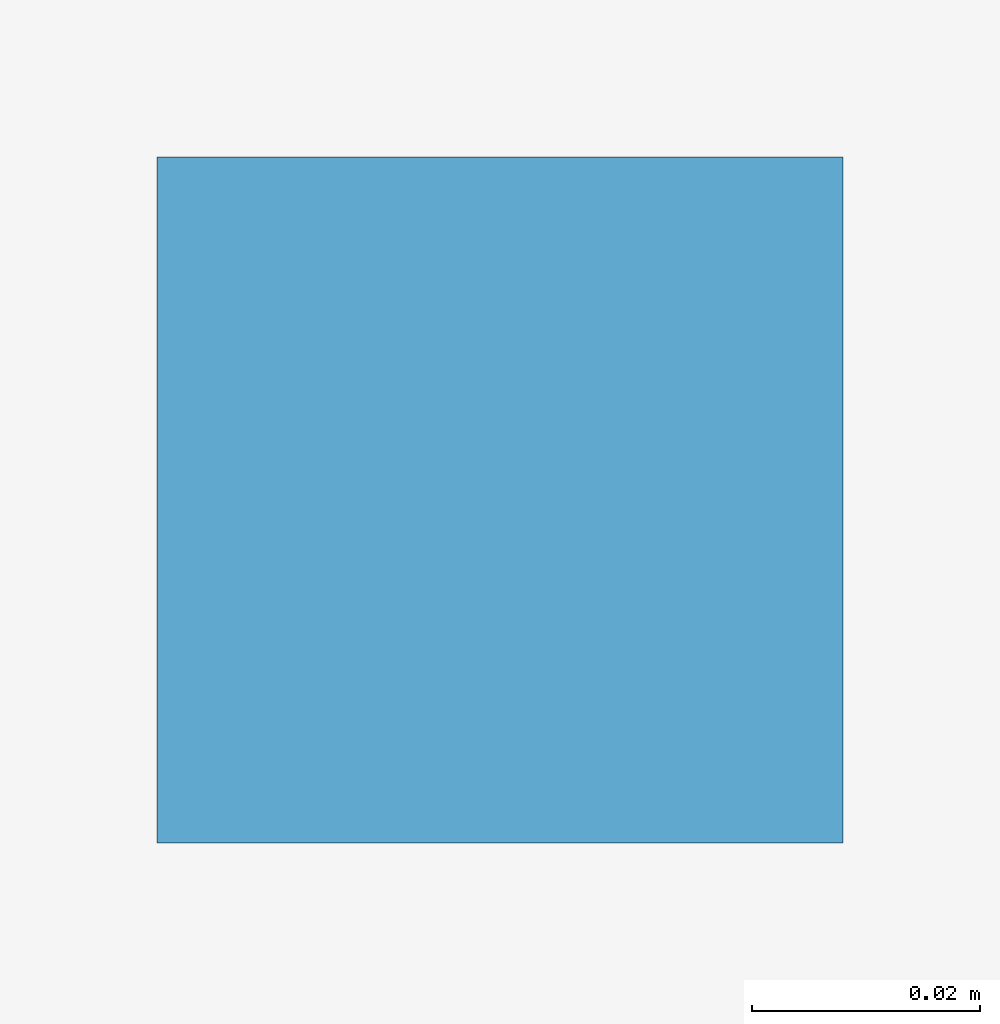
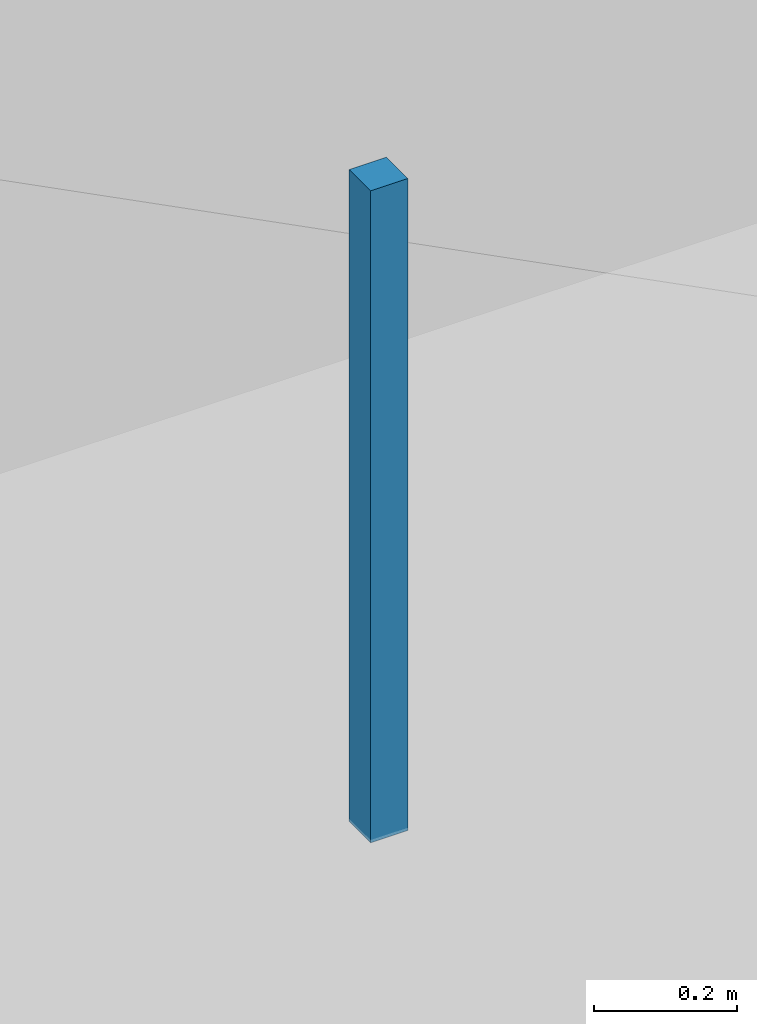
# One storey, part 120 of 139: 1 discrete accessory.
"""IFC4 building model written with IfcOpenShell, lengths in metres."""

from ifc_helpers import new_model, si_unit, derived_unit, direction, frame, origin, origin_2d, place, context, subcontext, project, spatial, rectangle, extrude, material, layer, layer_set, type_object, element, save


model = new_model("IFC4")

# Units and contexts
model_context = context("Model", 3, precision=1e-05, world=origin(), true_north=direction((0.0, 1.0)))
body_context = subcontext(model_context, "Body", "Model", "MODEL_VIEW")
ifc_project = project(units=[si_unit("LENGTHUNIT", "METRE"), si_unit("AREAUNIT", "SQUARE_METRE"), si_unit("VOLUMEUNIT", "CUBIC_METRE"), si_unit("PLANEANGLEUNIT", "RADIAN"), si_unit("MASSUNIT", "GRAM", prefix="KILO"), derived_unit("THERMALTRANSMITTANCEUNIT", [(si_unit("MASSUNIT", "GRAM", prefix="KILO"), 1), (si_unit("TIMEUNIT", "SECOND"), -3), (si_unit("THERMODYNAMICTEMPERATUREUNIT", "KELVIN"), -1)])], contexts=[model_context])

# Site, building, storey
site_placement = place(None, origin())
site = spatial("IfcSite", under=ifc_project, at=site_placement, CompositionType="ELEMENT")
building_placement = place(site_placement, origin())
building = spatial("IfcBuilding", under=site, at=building_placement, Name="Makaiwela Harbour Ferry Terminal", CompositionType="ELEMENT")
storey_placement = place(building_placement, frame((0.0, 0.0, 5.10009765625)))
storey = spatial("IfcBuildingStorey", under=building, at=storey_placement, Name="L01", CompositionType="ELEMENT", Elevation=5.10009765625)

# Discrete accessory
ifc_material = material(Name="Marine grade 316L brushed stainless steel", Category="steel")
ifc_layer = layer(ifc_material, 1.0)
ifc_layer_set = layer_set([ifc_layer], Name="Marine grade 316L brushed stainless steel")
discrete_accessory_type = type_object("IfcDiscreteAccessoryType", Name="INT-ACC-HNG", PredefinedType="BRACKET", material=ifc_layer_set)
discrete_accessory_placement = place(storey_placement, frame((51.073486328125, 80.450927734375, 3.134765625), z_axis=(0.0, 0.0, 1.0), x_axis=(1.0, 0.0, 0.0)))
element("IfcDiscreteAccessory", 1, at=discrete_accessory_placement, inside=storey, type_object=discrete_accessory_type, Name="Ceiling Suspension Bracket HNG-030", PredefinedType="BRACKET", context=body_context, shape_type="SweptSolid", body=[
    extrude(rectangle(XDim=0.06005859375, YDim=0.06005859375, at=origin_2d()), origin(), (0.0, 0.0, 1.0), 1.110107421875),
])

save(model, "model.ifc")
